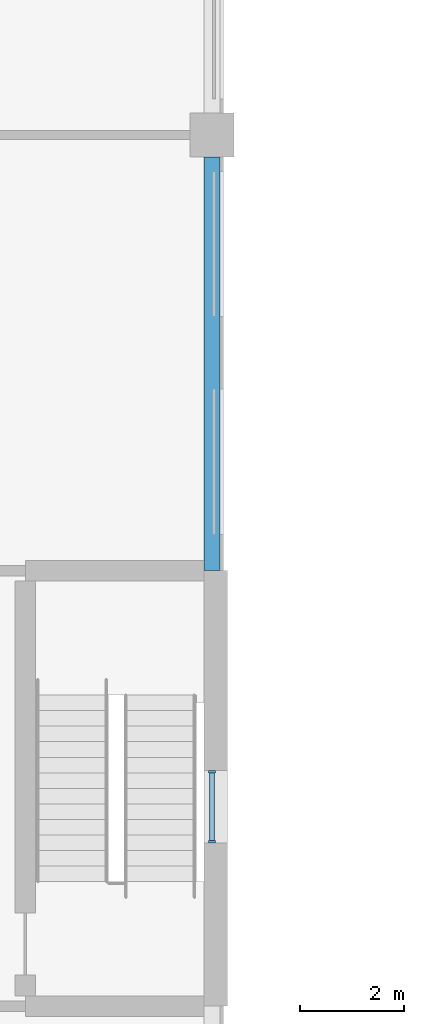
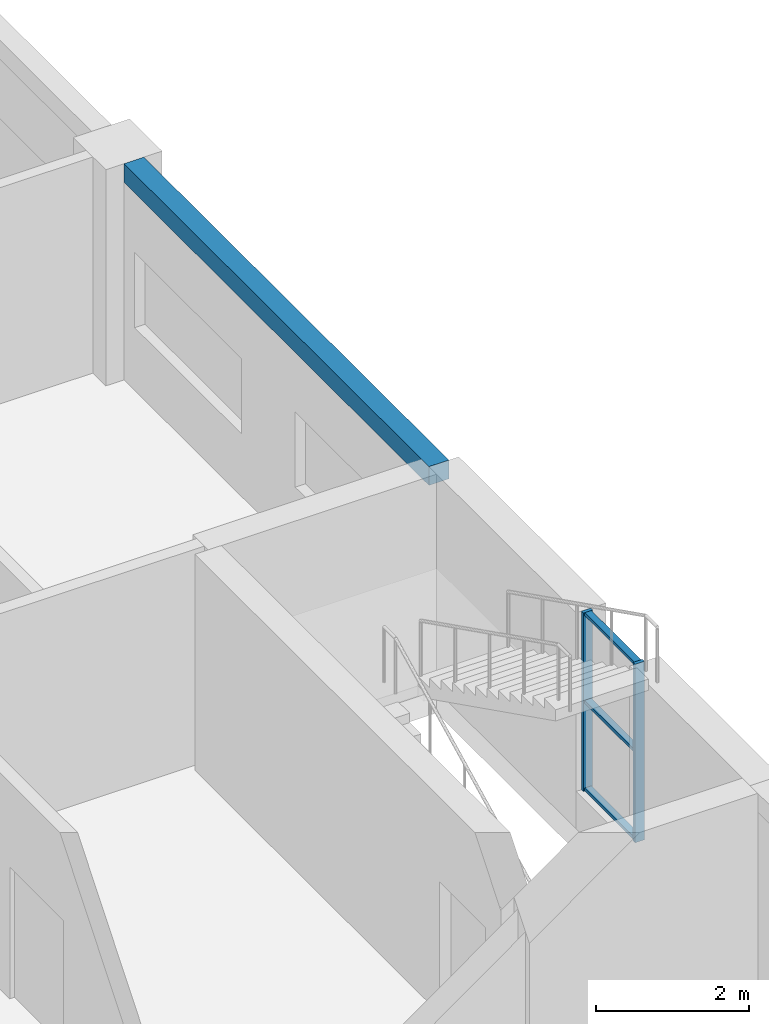
# One storey, part 29 of 94: 5 members, 1 beam, 1 element without a shape of its own.
"""IFC4 building model written with IfcOpenShell, lengths in metres."""

from ifc_helpers import new_model, si_unit, direction, frame, origin, origin_2d, place, context, subcontext, project, spatial, rectangle, extrude, material, material_profile, profile_set, type_object, element, aggregate, save


model = new_model("IFC4")

# Units and contexts
model_context = context("Model", 3, precision=1e-05, world=origin(), true_north=direction((0.0, 1.0)))
body_context = subcontext(model_context, "Body", "Model", "MODEL_VIEW")
ifc_project = project(units=[si_unit("LENGTHUNIT", "METRE"), si_unit("AREAUNIT", "SQUARE_METRE"), si_unit("VOLUMEUNIT", "CUBIC_METRE"), si_unit("PLANEANGLEUNIT", "RADIAN"), si_unit("MASSUNIT", "GRAM", prefix="KILO")], contexts=[model_context])

# Site, building, storey
site_placement = place(None, origin())
site = spatial("IfcSite", under=ifc_project, at=site_placement, CompositionType="ELEMENT")
building_placement = place(site_placement, origin())
building = spatial("IfcBuilding", under=site, at=building_placement, Name="Yavir Park General Hospital", CompositionType="ELEMENT")
storey_placement = place(building_placement, frame((0.0, 0.0, 4.5)))
storey = spatial("IfcBuildingStorey", under=building, at=storey_placement, Name="L01", CompositionType="ELEMENT", Elevation=4.5)

# Beam
ifc_material_1 = material(Name="Concrete C35/45", Category="concrete")
ifc_material_profile_1 = material_profile(ifc_material_1, rectangle(XDim=0.300048828125, YDim=0.300048828125, at=origin_2d()), Name="RC300x300")
ifc_profile_set_1 = profile_set([ifc_material_profile_1], Name="Concrete C35/45")
beam_type = type_object("IfcBeamType", Name="RC BEAM 300x300 edge beam", PredefinedType="BEAM", material=ifc_profile_set_1)
beam_placement = place(storey_placement, frame((25.199951171875, 84.0, 3.300048828125), z_axis=(0.0, 1.0, 0.0), x_axis=(-1.0, 0.0, 0.0)))
element("IfcBeam", 1, at=beam_placement, inside=storey, type_object=beam_type, Name="B:EDGE:L01:045", PredefinedType="BEAM", context=body_context, shape_type="SweptSolid", body=[
    extrude(rectangle(XDim=0.300048828125, YDim=0.300048828125, at=origin_2d()), origin(), (0.0, 0.0, 1.0), 7.97509765625),
])

# Curtain wall, members
ifc_material_2 = material(Name="Aluminium curtain wall frame with insulated glazing", Category="aluminium")
curtain_wall_type = type_object("IfcCurtainWallType", Name="Stair light slot, podium, 2850 high, 1400 module", PredefinedType="NOTDEFINED", material=ifc_material_2)
curtain_wall_placement = place(storey_placement, origin())
curtain_wall = element("IfcCurtainWall", 2, at=curtain_wall_placement, inside=storey, type_object=curtain_wall_type, Name="CW9 L01-020", PredefinedType="NOTDEFINED")
ifc_material_3 = material(Name="Aluminium", Category="aluminium")
ifc_material_profile_2 = material_profile(ifc_material_3, rectangle(XDim=0.139892578125, YDim=0.050048828125, at=origin_2d()), Name="AL 50x140")
ifc_profile_set_2 = profile_set([ifc_material_profile_2], Name="Aluminium")
member_type_1 = type_object("IfcMemberType", Name="Stair light slot, podium, 2850 high mullion 50 x 140", PredefinedType="MULLION", material=ifc_profile_set_2)
member_1_placement = place(storey_placement, frame((25.199951171875, 78.77490234375, 0.60009765625), z_axis=(0.0, 0.0, 1.0), x_axis=(-1.0, 0.0, 0.0)))
member_1 = element("IfcMember", 3, at=member_1_placement, type_object=member_type_1, Name="CW9 mullion 1", PredefinedType="MULLION", context=body_context, shape_type="SweptSolid", body=[
    extrude(rectangle(XDim=0.139892578125, YDim=0.050048828125, at=origin_2d()), origin(), (0.0, 0.0, 1.0), 2.849853515625),
])
member_2_placement = place(storey_placement, frame((25.199951171875, 80.125, 0.60009765625), z_axis=(0.0, 0.0, 1.0), x_axis=(-1.0, 0.0, 0.0)))
member_2 = element("IfcMember", 4, at=member_2_placement, type_object=member_type_1, Name="CW9 mullion 2", PredefinedType="MULLION", context=body_context, shape_type="SweptSolid", body=[
    extrude(rectangle(XDim=0.139892578125, YDim=0.050048828125, at=origin_2d()), origin(), (0.0, 0.0, 1.0), 2.849853515625),
])
ifc_material_4 = material(Name="Aluminium", Category="aluminium")
ifc_material_profile_3 = material_profile(ifc_material_4, rectangle(XDim=0.10009765625, YDim=0.050048828125, at=origin_2d()), Name="AL 100x50")
ifc_profile_set_3 = profile_set([ifc_material_profile_3], Name="Aluminium")
member_type_2 = type_object("IfcMemberType", Name="Stair light slot, podium, 2850 high transom 50 x 100", PredefinedType="MULLION", material=ifc_profile_set_3)
member_3_placement = place(storey_placement, frame((25.199951171875, 78.800048828125, 0.625), z_axis=(0.0, 1.0, 0.0), x_axis=(-1.0, 0.0, 0.0)))
member_3 = element("IfcMember", 5, at=member_3_placement, type_object=member_type_2, Name="CW9 transom 1.1", PredefinedType="MULLION", context=body_context, shape_type="SweptSolid", body=[
    extrude(rectangle(XDim=0.10009765625, YDim=0.050048828125, at=origin_2d()), origin(), (0.0, 0.0, 1.0), 1.300048828125),
])
member_4_placement = place(storey_placement, frame((25.199951171875, 78.800048828125, 2.02490234375), z_axis=(0.0, 1.0, 0.0), x_axis=(-1.0, 0.0, 0.0)))
member_4 = element("IfcMember", 6, at=member_4_placement, type_object=member_type_2, Name="CW9 transom 1.2", PredefinedType="MULLION", context=body_context, shape_type="SweptSolid", body=[
    extrude(rectangle(XDim=0.10009765625, YDim=0.050048828125, at=origin_2d()), origin(), (0.0, 0.0, 1.0), 1.300048828125),
])
member_5_placement = place(storey_placement, frame((25.199951171875, 78.800048828125, 3.425048828125), z_axis=(0.0, 1.0, 0.0), x_axis=(-1.0, 0.0, 0.0)))
member_5 = element("IfcMember", 7, at=member_5_placement, type_object=member_type_2, Name="CW9 transom 1.3", PredefinedType="MULLION", context=body_context, shape_type="SweptSolid", body=[
    extrude(rectangle(XDim=0.10009765625, YDim=0.050048828125, at=origin_2d()), origin(), (0.0, 0.0, 1.0), 1.300048828125),
])
aggregate(curtain_wall, [member_1, member_2, member_3, member_4, member_5])

save(model, "model.ifc")
